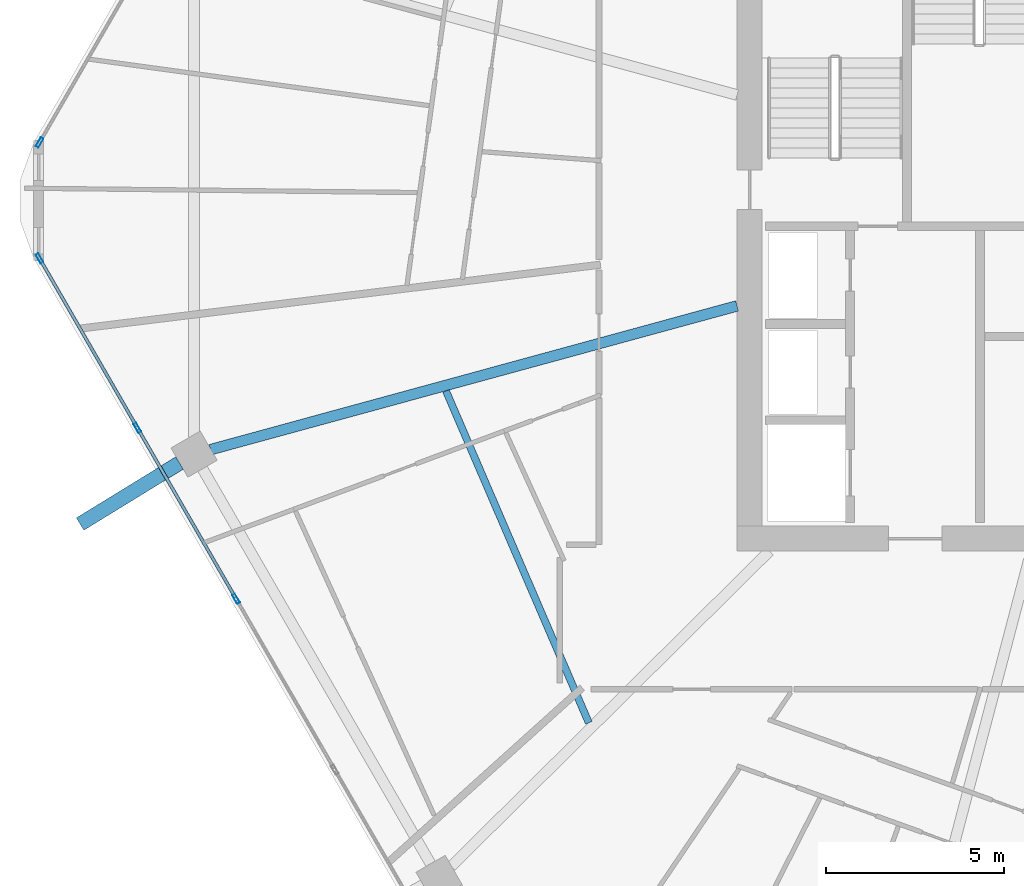
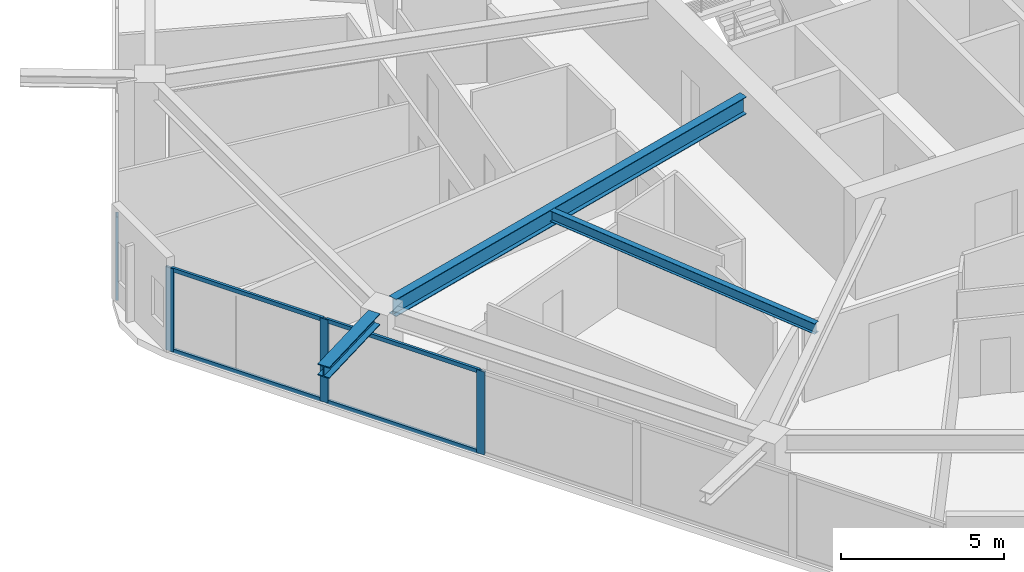
# One storey, part 5 of 25: 8 members, 3 beams, 2 elements without a shape of their own.
"""IFC4 building model written with IfcOpenShell, lengths in metres."""

from ifc_helpers import new_model, si_unit, direction, frame, origin, origin_2d, place, context, subcontext, project, spatial, hollow_rectangle, i_section, extrude, material, material_profile, profile_set, type_object, element, aggregate, save


model = new_model("IFC4")

# Units and contexts
model_context = context("Model", 3, precision=1e-05, world=origin(), true_north=direction((0.0, 1.0)))
body_context = subcontext(model_context, "Body", "Model", "MODEL_VIEW")
ifc_project = project(units=[si_unit("LENGTHUNIT", "METRE"), si_unit("AREAUNIT", "SQUARE_METRE"), si_unit("VOLUMEUNIT", "CUBIC_METRE"), si_unit("PLANEANGLEUNIT", "RADIAN"), si_unit("MASSUNIT", "GRAM", prefix="KILO")], contexts=[model_context])

# Site, building, storey
site_placement = place(None, origin())
site = spatial("IfcSite", under=ifc_project, at=site_placement, CompositionType="ELEMENT")
building_placement = place(site_placement, origin())
building = spatial("IfcBuilding", under=site, at=building_placement, Name="Zuhravey Tower", CompositionType="ELEMENT")
storey_placement = place(building_placement, frame((0.0, 0.0, 196.0)))
storey = spatial("IfcBuildingStorey", under=building, at=storey_placement, Name="L49", CompositionType="ELEMENT", Elevation=196.0)

# Curtain wall, members
ifc_material_1 = material(Name="Thermally broken anodised aluminium", Category="aluminium")
curtain_wall_type = type_object("IfcCurtainWallType", Name="Zone 1-2 Residential Curtain Wall CW3", PredefinedType="NOTDEFINED", material=ifc_material_1)
curtain_wall_1_placement = place(storey_placement, origin())
curtain_wall_1 = element("IfcCurtainWall", 1, at=curtain_wall_1_placement, inside=storey, type_object=curtain_wall_type, Name="L49 CW3 CW-L49-F4-1", PredefinedType="NOTDEFINED")
ifc_material_2 = material(Name="Anodised aluminium", Category="aluminium")
ifc_material_profile_1 = material_profile(ifc_material_2, hollow_rectangle(XDim=0.090087890625, YDim=0.284912109375, WallThickness=0.0048828125, at=origin_2d()), Name="ALU-RHS-90x285x5")
ifc_profile_set_1 = profile_set([ifc_material_profile_1], Name="Anodised aluminium")
member_type_1 = type_object("IfcMemberType", Name="Curtain-Wall Mullion 90x180", PredefinedType="MULLION", material=ifc_profile_set_1)
member_1_placement = place(storey_placement, frame((11.07275390625, 20.809326171875, 0.0), z_axis=(0.0, 0.0, 1.0), x_axis=(-0.866025138215, -0.500000459979, 0.0)))
member_1 = element("IfcMember", 2, at=member_1_placement, type_object=member_type_1, Name="CW3 mullion 4", PredefinedType="MULLION", context=body_context, shape_type="SweptSolid", body=[
    extrude(hollow_rectangle(XDim=0.090087890625, YDim=0.284912109375, WallThickness=0.0048828125, at=origin_2d()), origin(), (0.0, 0.0, 1.0), 3.1220703125),
])
member_2_placement = place(storey_placement, frame((8.300537109375, 25.61083984375, 0.0), z_axis=(0.0, 0.0, 1.0), x_axis=(-0.866025138215, -0.500000459979, 0.0)))
member_2 = element("IfcMember", 3, at=member_2_placement, type_object=member_type_1, Name="CW3 mullion 5", PredefinedType="MULLION", context=body_context, shape_type="SweptSolid", body=[
    extrude(hollow_rectangle(XDim=0.090087890625, YDim=0.284912109375, WallThickness=0.0048828125, at=origin_2d()), origin(), (0.0, 0.0, 1.0), 3.1220703125),
])
member_3_placement = place(storey_placement, frame((5.55078125, 30.37353515625, 0.0), z_axis=(0.0, 0.0, 1.0), x_axis=(-0.866025138215, -0.500000459979, 0.0)))
member_3 = element("IfcMember", 4, at=member_3_placement, type_object=member_type_1, Name="CW3 mullion 6", PredefinedType="MULLION", context=body_context, shape_type="SweptSolid", body=[
    extrude(hollow_rectangle(XDim=0.090087890625, YDim=0.284912109375, WallThickness=0.0048828125, at=origin_2d()), origin(), (0.0, 0.0, 1.0), 3.1220703125),
])

# Curtain wall, member
curtain_wall_2_placement = place(storey_placement, origin())
curtain_wall_2 = element("IfcCurtainWall", 5, at=curtain_wall_2_placement, inside=storey, type_object=curtain_wall_type, Name="L49 CW3 CW-L49-F3-1", PredefinedType="NOTDEFINED")
member_4_placement = place(storey_placement, frame((5.55078125, 33.62646484375, 0.0), z_axis=(0.0, 0.0, 1.0), x_axis=(-0.866025138215, 0.500000459979, 0.0)))
member_4 = element("IfcMember", 6, at=member_4_placement, type_object=member_type_1, Name="CW3 mullion 1", PredefinedType="MULLION", context=body_context, shape_type="SweptSolid", body=[
    extrude(hollow_rectangle(XDim=0.090087890625, YDim=0.284912109375, WallThickness=0.0048828125, at=origin_2d()), origin(), (0.0, 0.0, 1.0), 3.1220703125),
])
aggregate(curtain_wall_2, [member_4])

# Member
ifc_material_profile_2 = material_profile(ifc_material_2, hollow_rectangle(XDim=0.090087890625, YDim=0.14990234375, WallThickness=0.0048828125, at=origin_2d()), Name="ALU-RHS-90x150x5")
ifc_profile_set_2 = profile_set([ifc_material_profile_2], Name="Anodised aluminium")
member_type_2 = type_object("IfcMemberType", Name="Curtain-Wall Transom 90x150", PredefinedType="USERDEFINED", material=ifc_profile_set_2)
member_5_placement = place(storey_placement, frame((11.050048828125, 20.84814453125, 0.044921875), z_axis=(-0.49996138257, 0.86604769842, 0.0), x_axis=(-0.86604769842, -0.49996138257, 0.0)))
member_5 = element("IfcMember", 7, at=member_5_placement, type_object=member_type_2, Name="CW3 transom 4.1", ObjectType="TRANSOM", PredefinedType="USERDEFINED", context=body_context, shape_type="SweptSolid", body=[
    extrude(hollow_rectangle(XDim=0.090087890625, YDim=0.14990234375, WallThickness=0.0048828125, at=origin_2d()), origin(), (0.0, 0.0, 1.0), 5.45458984375),
])

member_6_placement = place(storey_placement, frame((11.050048828125, 20.84814453125, 3.076904296875), z_axis=(-0.49996138257, 0.86604769842, 0.0), x_axis=(-0.86604769842, -0.49996138257, 0.0)))
member_6 = element("IfcMember", 8, at=member_6_placement, type_object=member_type_2, Name="CW3 transom 4.2", ObjectType="TRANSOM", PredefinedType="USERDEFINED", context=body_context, shape_type="SweptSolid", body=[
    extrude(hollow_rectangle(XDim=0.090087890625, YDim=0.14990234375, WallThickness=0.0048828125, at=origin_2d()), origin(), (0.0, 0.0, 1.0), 5.45458984375),
])

member_7_placement = place(storey_placement, frame((8.27783203125, 25.64990234375, 0.044921875), z_axis=(-0.499993332629, 0.866029253159, 0.0), x_axis=(-0.866029253159, -0.499993332629, 0.0)))
member_7 = element("IfcMember", 9, at=member_7_placement, type_object=member_type_2, Name="CW3 transom 5.1", ObjectType="TRANSOM", PredefinedType="USERDEFINED", context=body_context, shape_type="SweptSolid", body=[
    extrude(hollow_rectangle(XDim=0.090087890625, YDim=0.14990234375, WallThickness=0.0048828125, at=origin_2d()), origin(), (0.0, 0.0, 1.0), 5.4091796875),
])

member_8_placement = place(storey_placement, frame((8.27783203125, 25.64990234375, 3.076904296875), z_axis=(-0.499993332629, 0.866029253159, 0.0), x_axis=(-0.866029253159, -0.499993332629, 0.0)))
member_8 = element("IfcMember", 10, at=member_8_placement, type_object=member_type_2, Name="CW3 transom 5.2", ObjectType="TRANSOM", PredefinedType="USERDEFINED", context=body_context, shape_type="SweptSolid", body=[
    extrude(hollow_rectangle(XDim=0.090087890625, YDim=0.14990234375, WallThickness=0.0048828125, at=origin_2d()), origin(), (0.0, 0.0, 1.0), 5.4091796875),
])

aggregate(curtain_wall_1, [member_1, member_2, member_3, member_5, member_6, member_7, member_8])

# Beams
ifc_material_3 = material(Name="Steel SM460", Category="steel")
ifc_material_profile_3 = material_profile(ifc_material_3, i_section(OverallWidth=0.406982421875, OverallDepth=0.427978515625, WebThickness=0.02001953125, FlangeThickness=0.034912109375, at=origin_2d()), Name="H-428x407x20x35")
ifc_profile_set_3 = profile_set([ifc_material_profile_3], Name="Steel SM460")
beam_type_1 = type_object("IfcBeamType", Name="Exoskeleton Node Tie Beam H428x407", PredefinedType="BEAM", material=ifc_profile_set_3)
beam_1_placement = place(storey_placement, frame((9.48388671875, 24.622802734375, 3.3359375), z_axis=(-0.852309897732, -0.52303712892, 0.0), x_axis=(0.52303712892, -0.852309897732, 0.0)))
element("IfcBeam", 11, at=beam_1_placement, inside=storey, type_object=beam_type_1, Name="L49 Exoskeleton Node Tie NT1-07", PredefinedType="BEAM", context=body_context, shape_type="SweptSolid", body=[
    extrude(i_section(OverallWidth=0.406982421875, OverallDepth=0.427978515625, WebThickness=0.02001953125, FlangeThickness=0.034912109375, at=origin_2d()), origin(), (0.0, 0.0, 1.0), 3.27734375),
])
ifc_material_4 = material(Name="Steel SM355", Category="steel")
ifc_material_profile_4 = material_profile(ifc_material_4, i_section(OverallWidth=0.300048828125, OverallDepth=0.64990234375, WebThickness=0.012939453125, FlangeThickness=0.02197265625, at=origin_2d()), Name="H-650x300x13x22")
ifc_profile_set_4 = profile_set([ifc_material_profile_4], Name="Steel SM355")
beam_type_2 = type_object("IfcBeamType", Name="Radial Primary Girder H650x300", PredefinedType="BEAM", material=ifc_profile_set_4)
beam_2_placement = place(storey_placement, frame((25.14697265625, 29.03759765625, 3.22509765625), z_axis=(-0.964701703464, -0.263345065139, 0.0), x_axis=(0.263345065139, -0.964701703464, 0.0)))
element("IfcBeam", 12, at=beam_2_placement, inside=storey, type_object=beam_type_2, Name="L49 RG2 BM-L49-RAD-07", PredefinedType="BEAM", context=body_context, shape_type="SweptSolid", body=[
    extrude(i_section(OverallWidth=0.300048828125, OverallDepth=0.64990234375, WebThickness=0.012939453125, FlangeThickness=0.02197265625, at=origin_2d()), origin(), (0.0, 0.0, 1.0), 15.334716796875),
])
ifc_material_profile_5 = material_profile(ifc_material_4, i_section(OverallWidth=0.199951171875, OverallDepth=0.39990234375, WebThickness=0.008056640625, FlangeThickness=0.012939453125, at=origin_2d()), Name="H-400x200x8x13")
ifc_profile_set_5 = profile_set([ifc_material_profile_5], Name="Steel SM355")
beam_type_3 = type_object("IfcBeamType", Name="Secondary Floor Joist H400x200", PredefinedType="JOIST", material=ifc_profile_set_5)
beam_3_placement = place(storey_placement, frame((16.970458984375, 26.6474609375, 3.35009765625), z_axis=(0.395265853487, -0.918566766799, 0.0), x_axis=(0.918566766799, 0.395265853487, 0.0)))
element("IfcBeam", 13, at=beam_3_placement, inside=storey, type_object=beam_type_3, Name="L49 SJ2 BM-L49-SJ-07-1", PredefinedType="JOIST", context=body_context, shape_type="SweptSolid", body=[
    extrude(i_section(OverallWidth=0.199951171875, OverallDepth=0.39990234375, WebThickness=0.008056640625, FlangeThickness=0.012939453125, at=origin_2d()), origin(), (0.0, 0.0, 1.0), 10.150146484375),
])

save(model, "model.ifc")
